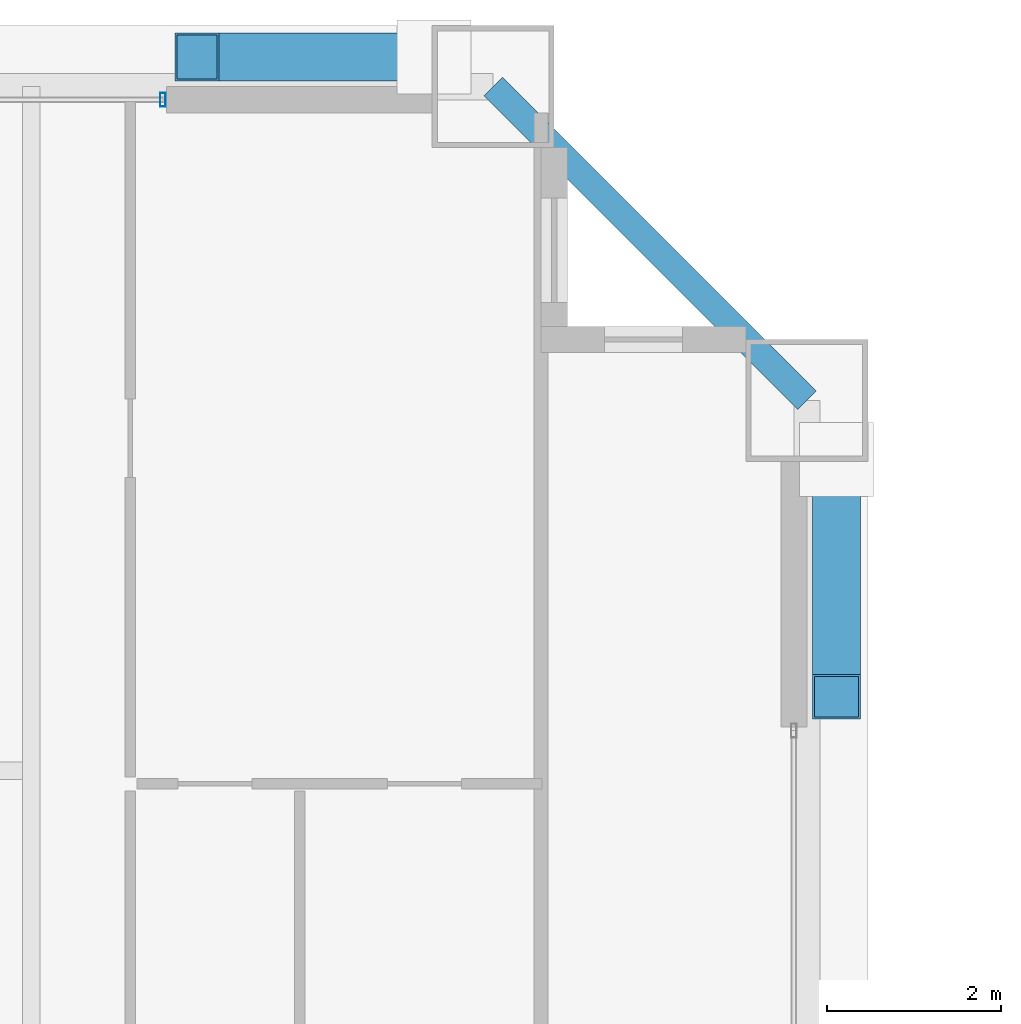
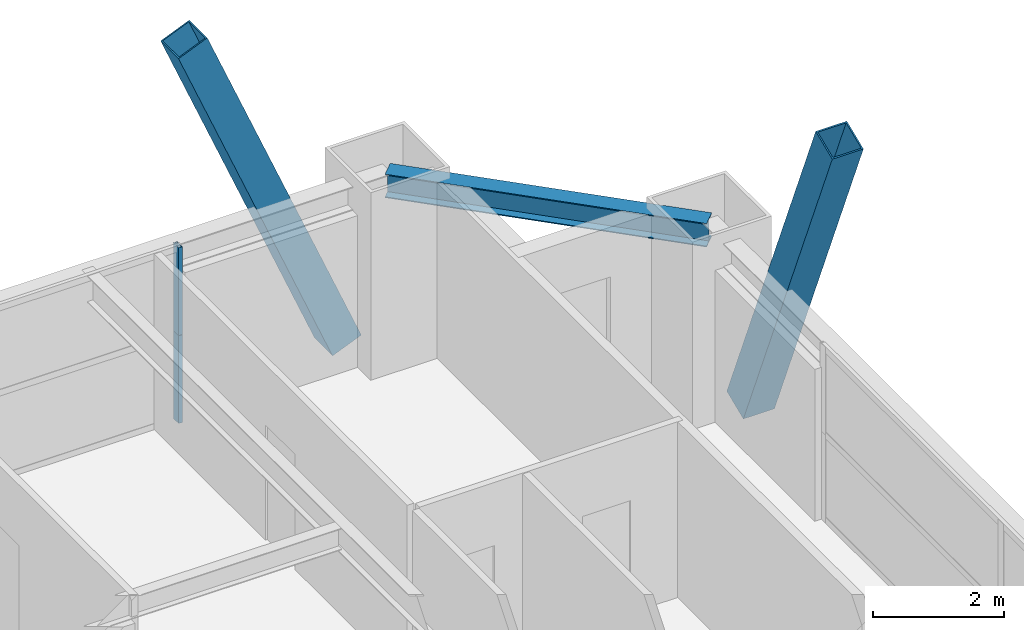
# One storey, part 38 of 45: 4 members, 1 beam, 1 element without a shape of its own.
"""IFC4 building model written with IfcOpenShell, lengths in metres."""

from ifc_helpers import new_model, si_unit, direction, frame, origin, origin_2d, place, context, subcontext, project, spatial, hollow_rectangle, i_section, extrude, source, transform, mapped, material, layer, layer_set, material_profile, profile_set, type_object, element, aggregate, save


model = new_model("IFC4")

# Units and contexts
model_context = context("Model", 3, precision=1e-05, world=origin(), true_north=direction((0.0, 1.0)))
body_context = subcontext(model_context, "Body", "Model", "MODEL_VIEW")
ifc_project = project(units=[si_unit("LENGTHUNIT", "METRE"), si_unit("AREAUNIT", "SQUARE_METRE"), si_unit("VOLUMEUNIT", "CUBIC_METRE"), si_unit("PLANEANGLEUNIT", "RADIAN"), si_unit("MASSUNIT", "GRAM", prefix="KILO"), si_unit("THERMODYNAMICTEMPERATUREUNIT", "KELVIN"), si_unit("POWERUNIT", "WATT")], contexts=[model_context])

# Site, building, storey
site_placement = place(None, origin())
site = spatial("IfcSite", under=ifc_project, at=site_placement, CompositionType="ELEMENT")
building_placement = place(site_placement, origin())
building = spatial("IfcBuilding", under=site, at=building_placement, Name="Yuzanri Waterfront Tower", CompositionType="ELEMENT")
storey_placement = place(building_placement, frame((0.0, 0.0, 191.5)))
storey = spatial("IfcBuildingStorey", under=building, at=storey_placement, Name="L50", CompositionType="ELEMENT", Elevation=191.5)

# Beam
ifc_material_1 = material(Name="Steel Q355B", Category="steel")
ifc_material_profile_1 = material_profile(ifc_material_1, i_section(OverallWidth=0.300048828125, OverallDepth=0.43994140625, WebThickness=0.010986328125, FlangeThickness=0.01806640625, at=origin_2d()), Name="HM 440x300x11x18")
ifc_profile_set_1 = profile_set([ifc_material_profile_1], Name="Steel Q355B")
beam_type = type_object("IfcBeamType", Name="Perimeter Spandrel Q355B HM 440x300", PredefinedType="SPANDREL", material=ifc_profile_set_1)
shared_shape_1 = source(origin(), body_context, "Body", "SweptSolid", [
    extrude(i_section(OverallWidth=0.300048828125, OverallDepth=0.43994140625, WebThickness=0.010986328125, FlangeThickness=0.01806640625, at=origin_2d()), origin(), (0.0, 0.0, 1.0), 5.091064453125),
])
beam_placement = place(storey_placement, frame((59.10009765625, 44.300048828125, 3.06005859375), z_axis=(-0.707130757816, 0.707082803744, 0.0), x_axis=(-0.707082803744, -0.707130757816, 0.0)))
element("IfcBeam", 1, at=beam_placement, inside=storey, type_object=beam_type, Name="L50 Perimeter Spandrel E3-N3", PredefinedType="SPANDREL", context=body_context, shape_type="MappedRepresentation", body=[
    mapped(shared_shape_1, transform((0.0, 0.0, 0.0), scale=1.0)),
])

# Members
ifc_material_2 = material(Name="Steel Q390GJC", Category="steel")
ifc_material_profile_2 = material_profile(ifc_material_2, hollow_rectangle(XDim=0.550048828125, YDim=0.550048828125, WallThickness=0.02490234375, at=origin_2d()), Name="RHS 550x550x25")
ifc_profile_set_2 = profile_set([ifc_material_profile_2], Name="Steel Q390GJC")
member_type_1 = type_object("IfcMemberType", Name="Mega Brace Mid Q390GJC RHS 550x550x25", PredefinedType="BRACE", material=ifc_profile_set_2)
shared_shape_2 = source(origin(), body_context, "Body", "SweptSolid", [
    extrude(hollow_rectangle(XDim=0.550048828125, YDim=0.550048828125, WallThickness=0.02490234375, at=origin_2d()), origin(), (0.0, 0.0, 1.0), 7.046142578125),
])
for number, where, z_axis, x_axis, name in (
    (2, (54.820068359375, 48.239990234375, 0.179931640625), (-0.386022211732, 0.0, 0.922489486146), (0.0, -1.0, 0.0), "L50-L51 Perimeter Mega-Brace N-R"),
    (3, (59.43994140625, 43.6201171875, 0.179931640625), (0.0, -0.386051696808, 0.922477147355), (1.0, 0.0, 0.0), "L50-L51 Perimeter Mega-Brace E-R"),
):
    element("IfcMember", number, at=place(storey_placement, frame(where, z_axis=z_axis, x_axis=x_axis)), inside=storey, type_object=member_type_1, Name=name, PredefinedType="BRACE", context=body_context, shape_type="MappedRepresentation", body=[
        mapped(shared_shape_2, transform((0.0, 0.0, 0.0), scale=1.0)),
    ])

# Curtain wall, members
ifc_material_3 = material(Name="Anodized Architectural Bronze", Category="metal")
ifc_layer = layer(ifc_material_3, 0.159912109375)
ifc_layer_set = layer_set([ifc_layer], Name="Anodized Architectural Bronze")
curtain_wall_type = type_object("IfcCurtainWallType", Name="Anodized Bronze Mid-Rise Residential Acoustic Unitized Curtain Wall 7200", PredefinedType="NOTDEFINED", material=ifc_layer_set)
curtain_wall_placement = place(storey_placement, origin())
curtain_wall = element("IfcCurtainWall", 4, at=curtain_wall_placement, inside=storey, type_object=curtain_wall_type, Name="L50 Curtain Wall CW-L50-NR", PredefinedType="NOTDEFINED")
ifc_material_4 = material(Name="Anodized Architectural Bronze", Category="metal")
ifc_material_profile_3 = material_profile(ifc_material_4, hollow_rectangle(XDim=0.06494140625, YDim=0.159912109375, WallThickness=0.00341796875, at=origin_2d()), Name="CWM 65x160")
ifc_profile_set_3 = profile_set([ifc_material_profile_3], Name="Anodized Architectural Bronze")
member_type_2 = type_object("IfcMemberType", Name="Anodized Bronze Upper-Zone Curtain-Wall Mullion 65x160", PredefinedType="MULLION", material=ifc_profile_set_3)
shared_shape_3 = source(origin(), body_context, "Body", "SweptSolid", [
    extrude(hollow_rectangle(XDim=0.06494140625, YDim=0.159912109375, WallThickness=0.00341796875, at=origin_2d()), origin(), (0.0, 0.0, 1.0), 1.637939453125),
])
member_1_placement = place(storey_placement, frame((51.7099609375, 47.75, 0.0), z_axis=(0.0, 0.0, 1.0), x_axis=(1.0, 0.0, 0.0)))
member_1 = element("IfcMember", 5, at=member_1_placement, type_object=member_type_2, Name="CW-L50-NR Lower Mullion 02", PredefinedType="MULLION", context=body_context, shape_type="MappedRepresentation", body=[
    mapped(shared_shape_3, transform((0.0, 0.0, 0.0), scale=1.0)),
])
member_2_placement = place(storey_placement, frame((51.7099609375, 47.75, 1.64208984375), z_axis=(0.0, 0.0, 1.0), x_axis=(1.0, 0.0, 0.0)))
member_2 = element("IfcMember", 6, at=member_2_placement, type_object=member_type_2, Name="CW-L50-NR Upper Mullion 02", PredefinedType="MULLION", context=body_context, shape_type="MappedRepresentation", body=[
    mapped(shared_shape_3, transform((0.0, 0.0, 0.0), scale=1.0)),
])
aggregate(curtain_wall, [member_1, member_2])

save(model, "model.ifc")
